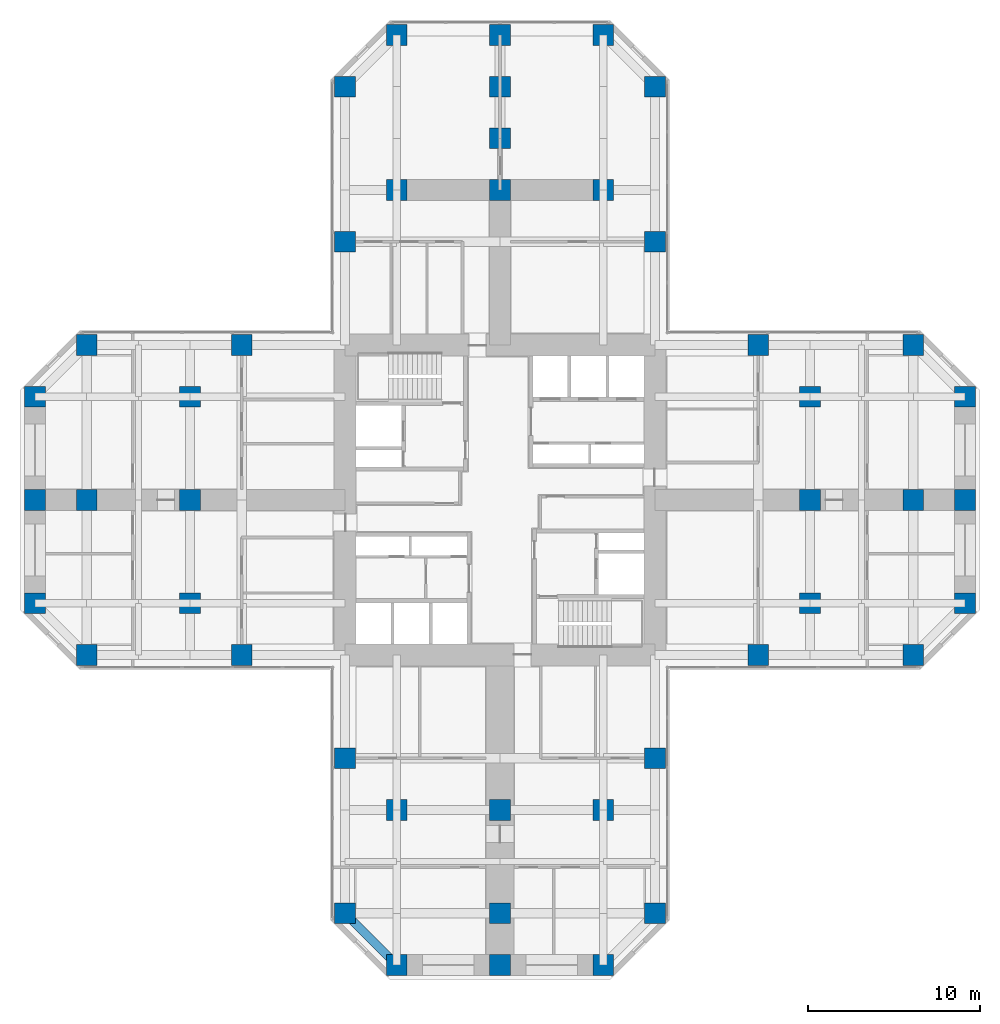
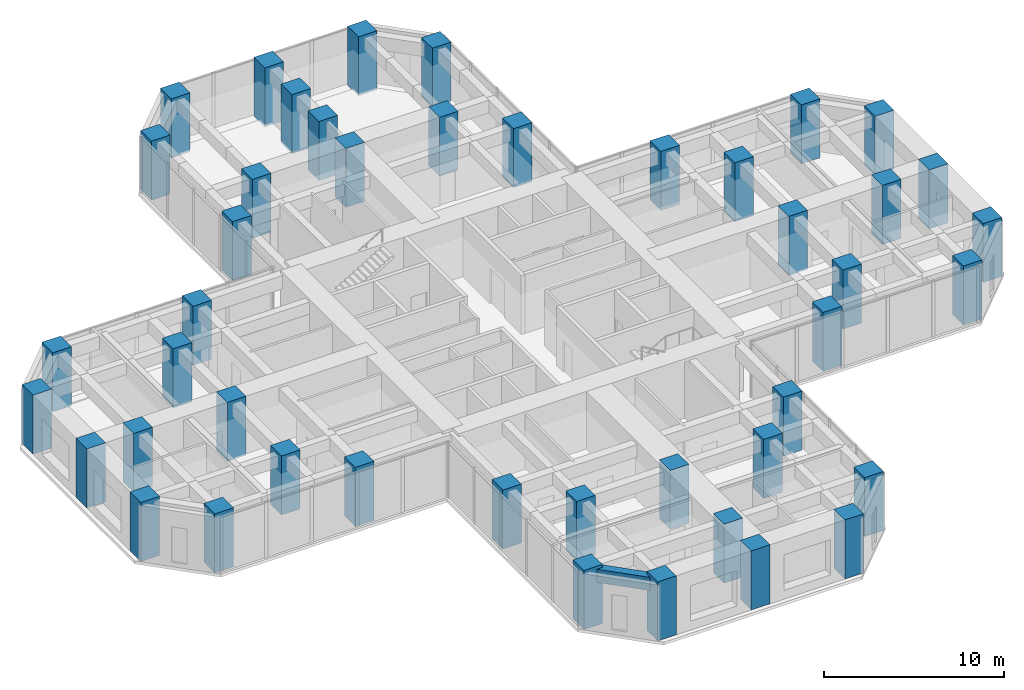
# One storey, part 1 of 13: 45 columns, 1 beam.
"""IFC4 building model written with IfcOpenShell, lengths in metres."""

from ifc_helpers import new_model, si_unit, direction, frame, origin, origin_2d, place, context, subcontext, project, spatial, rectangle, extrude, material, material_profile, profile_set, type_object, element, save


model = new_model("IFC4")

# Units and contexts
model_context = context("Model", 3, precision=1e-05, world=origin(), true_north=direction((0.0, 1.0)))
body_context = subcontext(model_context, "Body", "Model", "MODEL_VIEW")
ifc_project = project(units=[si_unit("LENGTHUNIT", "METRE"), si_unit("AREAUNIT", "SQUARE_METRE"), si_unit("VOLUMEUNIT", "CUBIC_METRE"), si_unit("PLANEANGLEUNIT", "RADIAN"), si_unit("MASSUNIT", "GRAM", prefix="KILO")], contexts=[model_context])

# Site, building, storey
site_placement = place(None, origin())
site = spatial("IfcSite", under=ifc_project, at=site_placement, CompositionType="ELEMENT")
building_placement = place(site_placement, origin())
building = spatial("IfcBuilding", under=site, at=building_placement, Name="Torre Cruceta", CompositionType="ELEMENT")
storey_placement = place(building_placement, frame((0.0, 0.0, 55.5)))
storey = spatial("IfcBuildingStorey", under=building, at=storey_placement, Name="L13", CompositionType="ELEMENT", Elevation=55.5)

# Columns
ifc_material_1 = material(Name="Concrete G60 (fck 60 MPa)", Category="concrete")
ifc_material_profile_1 = material_profile(ifc_material_1, rectangle(XDim=1.199951171875, YDim=1.199951171875, at=origin_2d()), Name="RC 1200X1200")
ifc_profile_set_1 = profile_set([ifc_material_profile_1], Name="Concrete G60 (fck 60 MPa)")
column_type = type_object("IfcColumnType", Name="COLUMN RC 1200X1200", PredefinedType="COLUMN", material=ifc_profile_set_1)
for number, where, z_axis, x_axis, name in (
    (1, (9.0, 15.0, 0.0), (0.0, 0.0, 1.0), (1.0, 0.0, 0.0), "C3 L13 N side"),
    (2, (9.0, 24.0, 0.0), (0.0, 0.0, 1.0), (1.0, 0.0, 0.0), "C3 L13 N chamfer"),
    (3, (-9.0, 15.0, 0.0), (0.0, 0.0, 1.0), (1.0, 0.0, 0.0), "C3 L13 N side"),
    (4, (-9.0, 24.0, 0.0), (0.0, 0.0, 1.0), (1.0, 0.0, 0.0), "C3 L13 N chamfer"),
    (5, (6.0, 27.0, 0.0), (0.0, 0.0, 1.0), (1.0, 0.0, 0.0), "C3 L13 N tip"),
    (6, (0.0, 27.0, 0.0), (0.0, 0.0, 1.0), (1.0, 0.0, 0.0), "C3 L13 N tip"),
    (7, (-6.0, 27.0, 0.0), (0.0, 0.0, 1.0), (1.0, 0.0, 0.0), "C3 L13 N tip"),
    (8, (15.0, -9.0, 0.0), (0.0, 0.0, 1.0), (1.0, 0.0, 0.0), "C3 L13 E side"),
    (9, (24.0, -9.0, 0.0), (0.0, 0.0, 1.0), (1.0, 0.0, 0.0), "C3 L13 E chamfer"),
    (10, (15.0, 9.0, 0.0), (0.0, 0.0, 1.0), (1.0, 0.0, 0.0), "C3 L13 E side"),
    (11, (24.0, 9.0, 0.0), (0.0, 0.0, 1.0), (1.0, 0.0, 0.0), "C3 L13 E chamfer"),
    (12, (27.0, -6.0, 0.0), (0.0, 0.0, 1.0), (1.0, 0.0, 0.0), "C3 L13 E tip"),
    (13, (27.0, 0.0, 0.0), (0.0, 0.0, 1.0), (1.0, 0.0, 0.0), "C3 L13 E tip"),
    (14, (27.0, 6.0, 0.0), (0.0, 0.0, 1.0), (1.0, 0.0, 0.0), "C3 L13 E tip"),
    (15, (-9.0, -15.0, 0.0), (0.0, 0.0, 1.0), (1.0, 0.0, 0.0), "C3 L13 S side"),
    (16, (-9.0, -24.0, 0.0), (0.0, 0.0, 1.0), (1.0, 0.0, 0.0), "C3 L13 S chamfer"),
    (17, (9.0, -15.0, 0.0), (0.0, 0.0, 1.0), (1.0, 0.0, 0.0), "C3 L13 S side"),
    (18, (9.0, -24.0, 0.0), (0.0, 0.0, 1.0), (1.0, 0.0, 0.0), "C3 L13 S chamfer"),
    (19, (-6.0, -27.0, 0.0), (0.0, 0.0, 1.0), (1.0, 0.0, 0.0), "C3 L13 S tip"),
    (20, (0.0, -27.0, 0.0), (0.0, 0.0, 1.0), (1.0, 0.0, 0.0), "C3 L13 S tip"),
    (21, (6.0, -27.0, 0.0), (0.0, 0.0, 1.0), (1.0, 0.0, 0.0), "C3 L13 S tip"),
    (22, (-15.0, 9.0, 0.0), (0.0, 0.0, 1.0), (1.0, 0.0, 0.0), "C3 L13 W side"),
    (23, (-24.0, 9.0, 0.0), (0.0, 0.0, 1.0), (1.0, 0.0, 0.0), "C3 L13 W chamfer"),
    (24, (-15.0, -9.0, 0.0), (0.0, 0.0, 1.0), (1.0, 0.0, 0.0), "C3 L13 W side"),
    (25, (-24.0, -9.0, 0.0), (0.0, 0.0, 1.0), (1.0, 0.0, 0.0), "C3 L13 W chamfer"),
    (26, (-27.0, 6.0, 0.0), (0.0, 0.0, 1.0), (1.0, 0.0, 0.0), "C3 L13 W tip"),
    (27, (-27.0, 0.0, 0.0), (0.0, 0.0, 1.0), (1.0, 0.0, 0.0), "C3 L13 W tip"),
    (28, (-27.0, -6.0, 0.0), (0.0, 0.0, 1.0), (1.0, 0.0, 0.0), "C3 L13 W tip"),
    (29, (6.0, 18.0, 0.0), (0.0, 0.0, 1.0), (1.0, 0.0, 0.0), "C3 L13 N interior"),
    (30, (0.0, 18.0, 0.0), (0.0, 0.0, 1.0), (1.0, 0.0, 0.0), "C3 L13 N interior"),
    (31, (-6.0, 18.0, 0.0), (0.0, 0.0, 1.0), (1.0, 0.0, 0.0), "C3 L13 N interior"),
    (32, (0.0, 21.0, 0.0), (0.0, 0.0, 1.0), (1.0, 0.0, 0.0), "C3 L13 N interior"),
    (33, (0.0, 24.0, 0.0), (0.0, 0.0, 1.0), (1.0, 0.0, 0.0), "C3 L13 N interior"),
    (34, (18.0, -6.0, 0.0), (0.0, 0.0, 1.0), (1.0, 0.0, 0.0), "C3 L13 E interior"),
    (35, (18.0, 0.0, 0.0), (0.0, 0.0, 1.0), (1.0, 0.0, 0.0), "C3 L13 E interior"),
    (36, (18.0, 6.0, 0.0), (0.0, 0.0, 1.0), (1.0, 0.0, 0.0), "C3 L13 E interior"),
    (37, (24.0, 0.0, 0.0), (0.0, 0.0, 1.0), (1.0, 0.0, 0.0), "C3 L13 E interior"),
    (38, (-6.0, -18.0, 0.0), (0.0, 0.0, 1.0), (1.0, 0.0, 0.0), "C3 L13 S interior"),
    (39, (0.0, -18.0, 0.0), (0.0, 0.0, 1.0), (1.0, 0.0, 0.0), "C3 L13 S interior"),
    (40, (6.0, -18.0, 0.0), (0.0, 0.0, 1.0), (1.0, 0.0, 0.0), "C3 L13 S interior"),
    (41, (0.0, -24.0, 0.0), (0.0, 0.0, 1.0), (1.0, 0.0, 0.0), "C3 L13 S interior"),
    (42, (-18.0, 6.0, 0.0), (0.0, 0.0, 1.0), (1.0, 0.0, 0.0), "C3 L13 W interior"),
    (43, (-18.0, 0.0, 0.0), (0.0, 0.0, 1.0), (1.0, 0.0, 0.0), "C3 L13 W interior"),
    (44, (-18.0, -6.0, 0.0), (0.0, 0.0, 1.0), (1.0, 0.0, 0.0), "C3 L13 W interior"),
    (45, (-24.0, 0.0, 0.0), (0.0, 0.0, 1.0), (1.0, 0.0, 0.0), "C3 L13 W interior"),
):
    element("IfcColumn", number, at=place(storey_placement, frame(where, z_axis=z_axis, x_axis=x_axis)), inside=storey, type_object=column_type, Name=name, PredefinedType="COLUMN", context=body_context, shape_type="SweptSolid", body=[
        extrude(rectangle(XDim=1.199951171875, YDim=1.199951171875, at=origin_2d()), origin(), (0.0, 0.0, 1.0), 4.0),
    ])

# Beam
ifc_material_2 = material(Name="Concrete G60 (fck 60 MPa)", Category="concrete")
ifc_material_profile_2 = material_profile(ifc_material_2, rectangle(XDim=0.5, YDim=0.89990234375, at=origin_2d()), Name="RC 500X900")
ifc_profile_set_2 = profile_set([ifc_material_profile_2], Name="Concrete G60 (fck 60 MPa)")
beam_type = type_object("IfcBeamType", Name="SPANDREL BEAM RC 500X900", PredefinedType="SPANDREL", material=ifc_profile_set_2)
beam_placement = place(storey_placement, frame((-9.0, -24.0, 3.35009765625), z_axis=(0.707106781187, -0.707106781187, 0.0), x_axis=(0.707106781187, 0.707106781187, 0.0)))
element("IfcBeam", 46, at=beam_placement, inside=storey, type_object=beam_type, Name="SB4 L13 S side- 5", PredefinedType="SPANDREL", context=body_context, shape_type="SweptSolid", body=[
    extrude(rectangle(XDim=0.5, YDim=0.89990234375, at=origin_2d()), origin(), (0.0, 0.0, 1.0), 4.24267578125),
])

save(model, "model.ifc")
